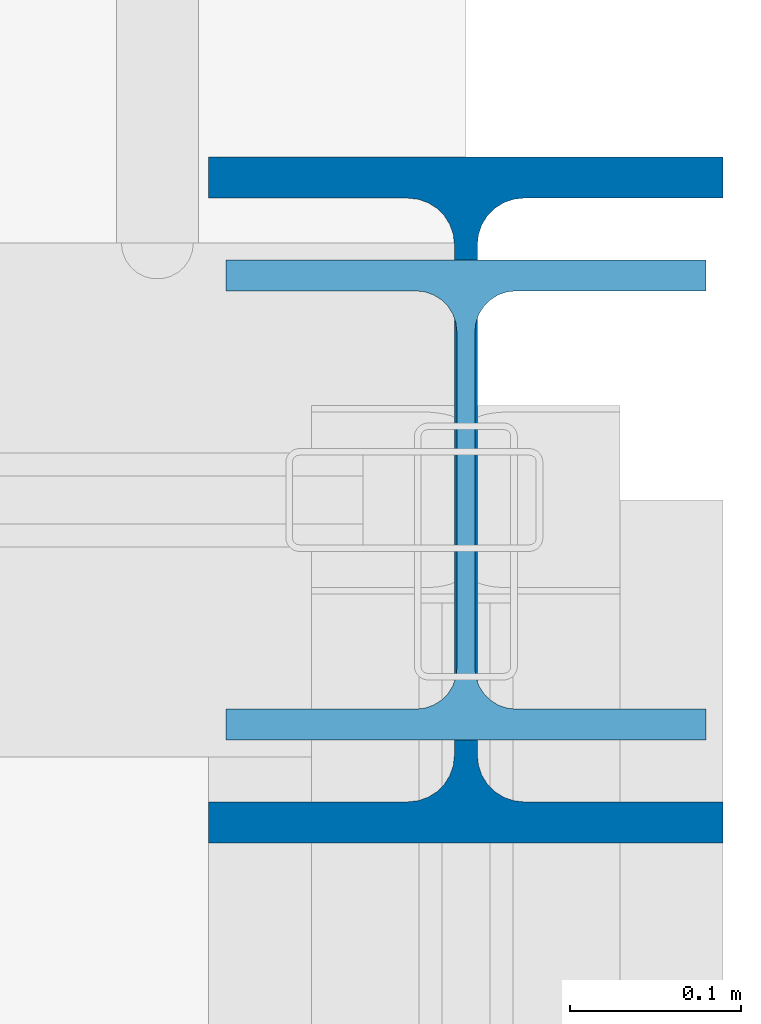
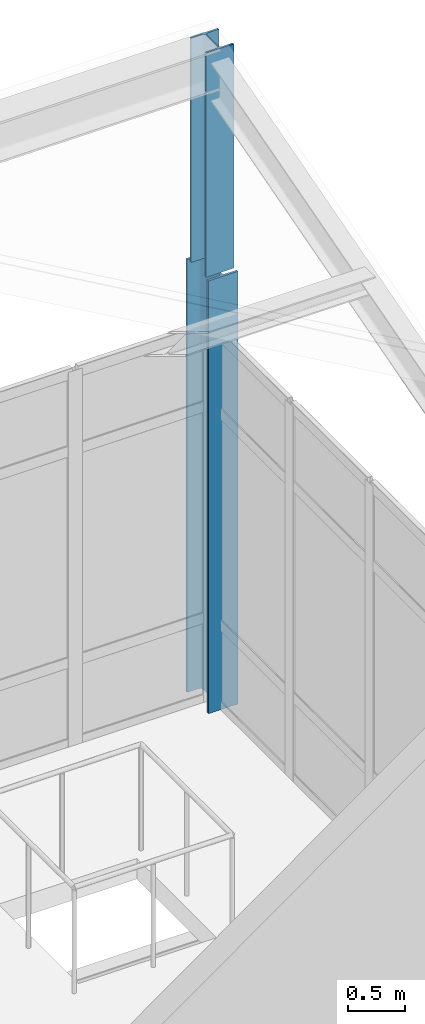
# One storey, part 4 of 53: 2 columns.
"""IFC4 building model written with IfcOpenShell, lengths in metres."""

from ifc_helpers import new_model, si_unit, direction, frame, origin, origin_2d, place, context, subcontext, project, spatial, i_section, extrude, material, material_profile, profile_set, type_object, element, save


model = new_model("IFC4")

# Units and contexts
model_context = context("Model", 3, precision=1e-05, world=origin(), true_north=direction((0.0, 1.0)))
body_context = subcontext(model_context, "Body", "Model", "MODEL_VIEW")
ifc_project = project(units=[si_unit("LENGTHUNIT", "METRE"), si_unit("AREAUNIT", "SQUARE_METRE"), si_unit("VOLUMEUNIT", "CUBIC_METRE"), si_unit("PLANEANGLEUNIT", "RADIAN"), si_unit("MASSUNIT", "GRAM", prefix="KILO")], contexts=[model_context])

# Site, building, storey
site_placement = place(None, origin())
site = spatial("IfcSite", under=ifc_project, at=site_placement, CompositionType="ELEMENT")
building_placement = place(site_placement, origin())
building = spatial("IfcBuilding", under=site, at=building_placement, Name="Qalvenar Corner Mobility Hub", CompositionType="ELEMENT")
storey_placement = place(building_placement, frame((0.0, 0.0, 26.39990234375)))
storey = spatial("IfcBuildingStorey", under=building, at=storey_placement, Name="L06", CompositionType="ELEMENT", Elevation=26.39990234375)

# Columns
ifc_material = material(Name="Steel S355", Category="steel")
ifc_material_profile_1 = material_profile(ifc_material, i_section(OverallWidth=0.280029296875, OverallDepth=0.280029296875, WebThickness=0.010498046875, FlangeThickness=0.01806640625, FilletRadius=0.02392578125, at=origin_2d()), Name="HEB280")
ifc_profile_set_1 = profile_set([ifc_material_profile_1], Name="Steel S355")
column_type_1 = type_object("IfcColumnType", Name="COL-HEB280", PredefinedType="COLUMN", material=ifc_profile_set_1)
column_1_placement = place(storey_placement, frame((42.0, 33.60009765625, 4.630126953125), z_axis=(0.0, 0.0, 1.0), x_axis=(1.0, 0.0, 0.0)))
element("IfcColumn", 1, at=column_1_placement, inside=storey, type_object=column_type_1, Name="Sawtooth Roof Post V3R-4-6", PredefinedType="COLUMN", context=body_context, shape_type="SweptSolid", body=[
    extrude(i_section(OverallWidth=0.280029296875, OverallDepth=0.280029296875, WebThickness=0.010498046875, FlangeThickness=0.01806640625, FilletRadius=0.02392578125, at=origin_2d()), origin(), (0.0, 0.0, 1.0), 2.39990234375),
])
ifc_material_profile_2 = material_profile(ifc_material, i_section(OverallWidth=0.300048828125, OverallDepth=0.39990234375, WebThickness=0.013427734375, FlangeThickness=0.02392578125, FilletRadius=0.027099609375, at=origin_2d()), Name="HEB400")
ifc_profile_set_2 = profile_set([ifc_material_profile_2], Name="Steel S355")
column_type_2 = type_object("IfcColumnType", Name="COL-HEB400", PredefinedType="COLUMN", material=ifc_profile_set_2)
column_2_placement = place(storey_placement, frame((42.0, 33.60009765625, 0.0), z_axis=(0.0, 0.0, 1.0), x_axis=(1.0, 0.0, 0.0)))
element("IfcColumn", 2, at=column_2_placement, inside=storey, type_object=column_type_2, Name="Steel Column L06-G6-4", PredefinedType="COLUMN", context=body_context, shape_type="SweptSolid", body=[
    extrude(i_section(OverallWidth=0.300048828125, OverallDepth=0.39990234375, WebThickness=0.013427734375, FlangeThickness=0.02392578125, FilletRadius=0.027099609375, at=origin_2d()), origin(), (0.0, 0.0, 1.0), 4.630126953125),
])

save(model, "model.ifc")
